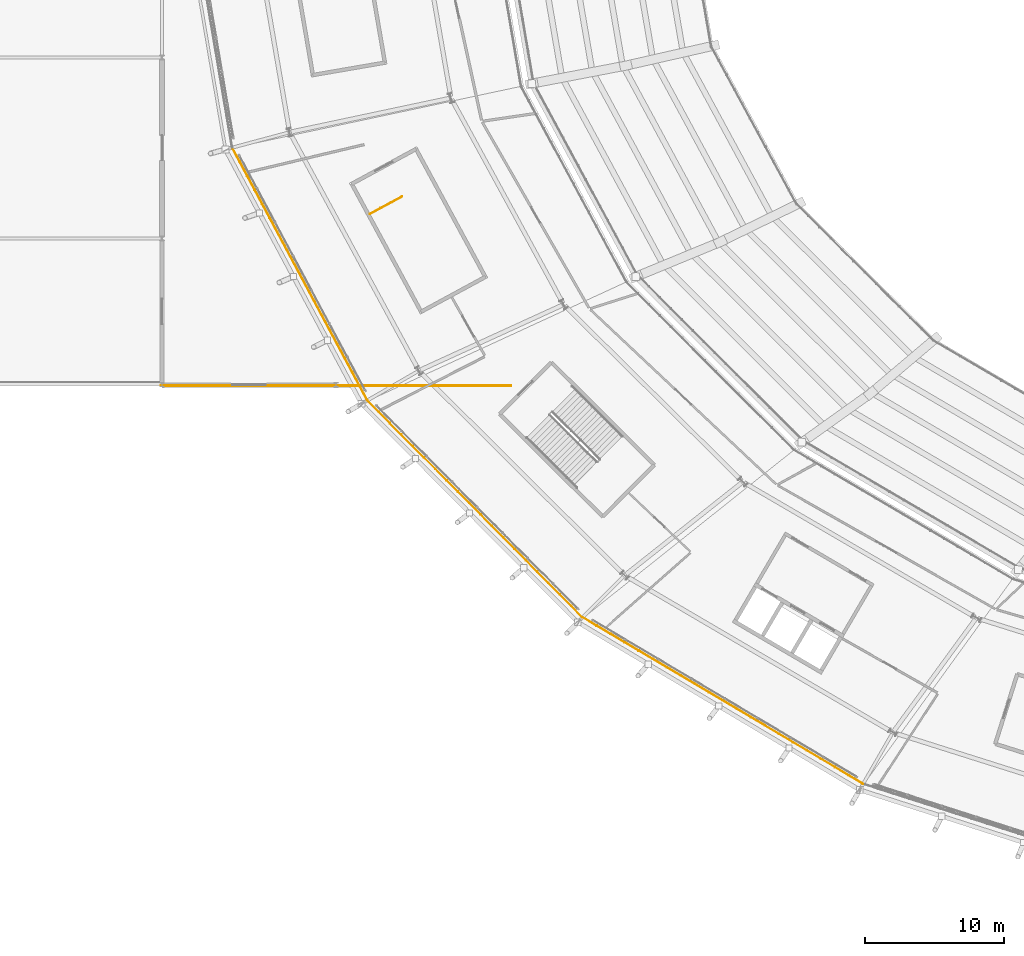
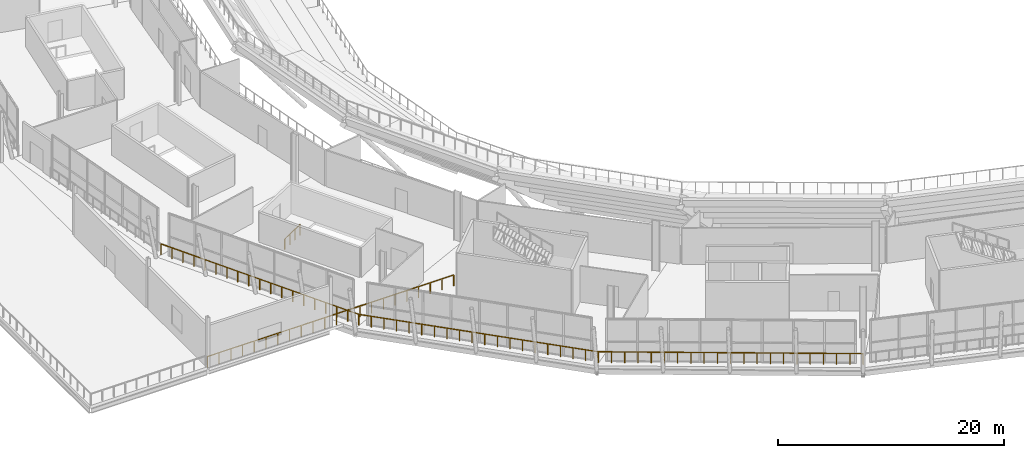
# One storey, part 106 of 126: 5 railings.
"""IFC4 building model written with IfcOpenShell, lengths in metres."""

from ifc_helpers import new_model, si_unit, direction, frame, origin, origin_2d, place, context, subcontext, project, spatial, rectangle, extrude, material, type_object, element, save


model = new_model("IFC4")

# Units and contexts
model_context = context("Model", 3, precision=1e-05, world=origin(), true_north=direction((0.0, 1.0)))
body_context = subcontext(model_context, "Body", "Model", "MODEL_VIEW")
ifc_project = project(units=[si_unit("LENGTHUNIT", "METRE"), si_unit("AREAUNIT", "SQUARE_METRE"), si_unit("VOLUMEUNIT", "CUBIC_METRE"), si_unit("PLANEANGLEUNIT", "RADIAN"), si_unit("MASSUNIT", "GRAM", prefix="KILO")], contexts=[model_context])

# Site, building, storey
site_placement = place(None, origin())
site = spatial("IfcSite", under=ifc_project, at=site_placement, CompositionType="ELEMENT")
building_placement = place(site_placement, origin())
building = spatial("IfcBuilding", under=site, at=building_placement, Name="Zlatoyarsky Gate Stadium", CompositionType="ELEMENT")
storey_placement = place(building_placement, frame((0.0, 0.0, 20.800048828125)))
storey = spatial("IfcBuildingStorey", under=building, at=storey_placement, Name="L04", CompositionType="ELEMENT", Elevation=20.800048828125)

# Railings
ifc_material_1 = material(Name="Powder-coated steel tubular guardrail", Category="steel")
railing_type_1 = type_object("IfcRailingType", Name="CONCOURSE SLAB EDGE GUARDRAIL 1200", PredefinedType="GUARDRAIL", material=ifc_material_1)
railing_1_placement = place(storey_placement, frame((17.044921875, 60.518798828125, 0.0)))
element("IfcRailing", 1, at=railing_1_placement, inside=storey, type_object=railing_type_1, Name="L04 outer slab edge guardrail 13", PredefinedType="GUARDRAIL", context=body_context, shape_type="SweptSolid", body=[
    extrude(rectangle(XDim=0.048095703125, YDim=0.048095703125, at=origin_2d()), frame((0.0, 0.0, 1.17578125), z_axis=(0.471925587959, -0.881638383596, 0.0), x_axis=(0.881638383596, 0.471925587959, 0.0)), (0.0, 0.0, 1.0), 20.5908203125),
    extrude(rectangle(XDim=0.0419921875, YDim=0.0419921875, at=origin_2d()), origin(), (0.0, 0.0, 1.0), 1.15185546875),
    extrude(rectangle(XDim=0.0419921875, YDim=0.0419921875, at=origin_2d()), frame((0.539794921875, -1.008544921875, 0.0)), (0.0, 0.0, 1.0), 1.15185546875),
    extrude(rectangle(XDim=0.0419921875, YDim=0.0419921875, at=origin_2d()), frame((1.07958984375, -2.01708984375, 0.0)), (0.0, 0.0, 1.0), 1.15185546875),
    extrude(rectangle(XDim=0.0419921875, YDim=0.0419921875, at=origin_2d()), frame((1.61962890625, -3.025634765625, 0.0)), (0.0, 0.0, 1.0), 1.15185546875),
    extrude(rectangle(XDim=0.0419921875, YDim=0.0419921875, at=origin_2d()), frame((2.159423828125, -4.0341796875, 0.0)), (0.0, 0.0, 1.0), 1.15185546875),
    extrude(rectangle(XDim=0.0419921875, YDim=0.0419921875, at=origin_2d()), frame((2.69921875, -5.042724609375, 0.0)), (0.0, 0.0, 1.0), 1.15185546875),
    extrude(rectangle(XDim=0.0419921875, YDim=0.0419921875, at=origin_2d()), frame((3.239013671875, -6.05126953125, 0.0)), (0.0, 0.0, 1.0), 1.15185546875),
    extrude(rectangle(XDim=0.0419921875, YDim=0.0419921875, at=origin_2d()), frame((3.779052734375, -7.059814453125, 0.0)), (0.0, 0.0, 1.0), 1.15185546875),
    extrude(rectangle(XDim=0.0419921875, YDim=0.0419921875, at=origin_2d()), frame((4.31884765625, -8.068359375, 0.0)), (0.0, 0.0, 1.0), 1.15185546875),
    extrude(rectangle(XDim=0.0419921875, YDim=0.0419921875, at=origin_2d()), frame((4.858642578125, -9.07666015625, 0.0)), (0.0, 0.0, 1.0), 1.15185546875),
    extrude(rectangle(XDim=0.0419921875, YDim=0.0419921875, at=origin_2d()), frame((5.3984375, -10.085205078125, 0.0)), (0.0, 0.0, 1.0), 1.15185546875),
    extrude(rectangle(XDim=0.0419921875, YDim=0.0419921875, at=origin_2d()), frame((5.938232421875, -11.09375, 0.0)), (0.0, 0.0, 1.0), 1.15185546875),
    extrude(rectangle(XDim=0.0419921875, YDim=0.0419921875, at=origin_2d()), frame((6.478271484375, -12.102294921875, 0.0)), (0.0, 0.0, 1.0), 1.15185546875),
    extrude(rectangle(XDim=0.0419921875, YDim=0.0419921875, at=origin_2d()), frame((7.01806640625, -13.11083984375, 0.0)), (0.0, 0.0, 1.0), 1.15185546875),
    extrude(rectangle(XDim=0.0419921875, YDim=0.0419921875, at=origin_2d()), frame((7.557861328125, -14.119384765625, 0.0)), (0.0, 0.0, 1.0), 1.15185546875),
    extrude(rectangle(XDim=0.0419921875, YDim=0.0419921875, at=origin_2d()), frame((8.09765625, -15.1279296875, 0.0)), (0.0, 0.0, 1.0), 1.15185546875),
    extrude(rectangle(XDim=0.0419921875, YDim=0.0419921875, at=origin_2d()), frame((8.6376953125, -16.136474609375, 0.0)), (0.0, 0.0, 1.0), 1.15185546875),
    extrude(rectangle(XDim=0.0419921875, YDim=0.0419921875, at=origin_2d()), frame((9.177490234375, -17.14501953125, 0.0)), (0.0, 0.0, 1.0), 1.15185546875),
    extrude(rectangle(XDim=0.0419921875, YDim=0.0419921875, at=origin_2d()), frame((9.71728515625, -18.153564453125, 0.0)), (0.0, 0.0, 1.0), 1.15185546875),
])
railing_2_placement = place(storey_placement, frame((26.76220703125, 42.365234375, 0.0)))
element("IfcRailing", 2, at=railing_2_placement, inside=storey, type_object=railing_type_1, Name="L04 outer slab edge guardrail 14", PredefinedType="GUARDRAIL", context=body_context, shape_type="SweptSolid", body=[
    extrude(rectangle(XDim=0.048095703125, YDim=0.048095703125, at=origin_2d()), frame((0.0, 0.0, 1.17578125), z_axis=(0.704114537309, -0.710086416114, 0.0), x_axis=(0.710086416114, 0.704114537309, 0.0)), (0.0, 0.0, 1.0), 21.953369140625),
    extrude(rectangle(XDim=0.0419921875, YDim=0.0419921875, at=origin_2d()), origin(), (0.0, 0.0, 1.0), 1.15185546875),
    extrude(rectangle(XDim=0.0419921875, YDim=0.0419921875, at=origin_2d()), frame((0.8134765625, -0.820556640625, 0.0)), (0.0, 0.0, 1.0), 1.15185546875),
    extrude(rectangle(XDim=0.0419921875, YDim=0.0419921875, at=origin_2d()), frame((1.627197265625, -1.640869140625, 0.0)), (0.0, 0.0, 1.0), 1.15185546875),
    extrude(rectangle(XDim=0.0419921875, YDim=0.0419921875, at=origin_2d()), frame((2.440673828125, -2.46142578125, 0.0)), (0.0, 0.0, 1.0), 1.15185546875),
    extrude(rectangle(XDim=0.0419921875, YDim=0.0419921875, at=origin_2d()), frame((3.254150390625, -3.281982421875, 0.0)), (0.0, 0.0, 1.0), 1.15185546875),
    extrude(rectangle(XDim=0.0419921875, YDim=0.0419921875, at=origin_2d()), frame((4.06787109375, -4.102294921875, 0.0)), (0.0, 0.0, 1.0), 1.15185546875),
    extrude(rectangle(XDim=0.0419921875, YDim=0.0419921875, at=origin_2d()), frame((4.88134765625, -4.9228515625, 0.0)), (0.0, 0.0, 1.0), 1.15185546875),
    extrude(rectangle(XDim=0.0419921875, YDim=0.0419921875, at=origin_2d()), frame((5.695068359375, -5.7431640625, 0.0)), (0.0, 0.0, 1.0), 1.15185546875),
    extrude(rectangle(XDim=0.0419921875, YDim=0.0419921875, at=origin_2d()), frame((6.508544921875, -6.563720703125, 0.0)), (0.0, 0.0, 1.0), 1.15185546875),
    extrude(rectangle(XDim=0.0419921875, YDim=0.0419921875, at=origin_2d()), frame((7.322021484375, -7.38427734375, 0.0)), (0.0, 0.0, 1.0), 1.15185546875),
    extrude(rectangle(XDim=0.0419921875, YDim=0.0419921875, at=origin_2d()), frame((8.1357421875, -8.20458984375, 0.0)), (0.0, 0.0, 1.0), 1.15185546875),
    extrude(rectangle(XDim=0.0419921875, YDim=0.0419921875, at=origin_2d()), frame((8.94921875, -9.025146484375, 0.0)), (0.0, 0.0, 1.0), 1.15185546875),
    extrude(rectangle(XDim=0.0419921875, YDim=0.0419921875, at=origin_2d()), frame((9.7626953125, -9.845703125, 0.0)), (0.0, 0.0, 1.0), 1.15185546875),
    extrude(rectangle(XDim=0.0419921875, YDim=0.0419921875, at=origin_2d()), frame((10.576416015625, -10.666015625, 0.0)), (0.0, 0.0, 1.0), 1.15185546875),
    extrude(rectangle(XDim=0.0419921875, YDim=0.0419921875, at=origin_2d()), frame((11.389892578125, -11.486572265625, 0.0)), (0.0, 0.0, 1.0), 1.15185546875),
    extrude(rectangle(XDim=0.0419921875, YDim=0.0419921875, at=origin_2d()), frame((12.20361328125, -12.306884765625, 0.0)), (0.0, 0.0, 1.0), 1.15185546875),
    extrude(rectangle(XDim=0.0419921875, YDim=0.0419921875, at=origin_2d()), frame((13.01708984375, -13.12744140625, 0.0)), (0.0, 0.0, 1.0), 1.15185546875),
    extrude(rectangle(XDim=0.0419921875, YDim=0.0419921875, at=origin_2d()), frame((13.83056640625, -13.947998046875, 0.0)), (0.0, 0.0, 1.0), 1.15185546875),
    extrude(rectangle(XDim=0.0419921875, YDim=0.0419921875, at=origin_2d()), frame((14.644287109375, -14.768310546875, 0.0)), (0.0, 0.0, 1.0), 1.15185546875),
    extrude(rectangle(XDim=0.0419921875, YDim=0.0419921875, at=origin_2d()), frame((15.457763671875, -15.5888671875, 0.0)), (0.0, 0.0, 1.0), 1.15185546875),
])
railing_3_placement = place(storey_placement, frame((42.219970703125, 26.7763671875, 0.0)))
element("IfcRailing", 3, at=railing_3_placement, inside=storey, type_object=railing_type_1, Name="L04 outer slab edge guardrail 15", PredefinedType="GUARDRAIL", context=body_context, shape_type="SweptSolid", body=[
    extrude(rectangle(XDim=0.048095703125, YDim=0.048095703125, at=origin_2d()), frame((0.0, 0.0, 1.17578125), z_axis=(0.859846881346, -0.510551996019, 0.0), x_axis=(0.510551996019, 0.859846881346, 0.0)), (0.0, 0.0, 1.0), 23.428955078125),
    extrude(rectangle(XDim=0.0419921875, YDim=0.0419921875, at=origin_2d()), origin(), (0.0, 0.0, 1.0), 1.15185546875),
    extrude(rectangle(XDim=0.0419921875, YDim=0.0419921875, at=origin_2d()), frame((1.00732421875, -0.59814453125, 0.0)), (0.0, 0.0, 1.0), 1.15185546875),
    extrude(rectangle(XDim=0.0419921875, YDim=0.0419921875, at=origin_2d()), frame((2.0146484375, -1.1962890625, 0.0)), (0.0, 0.0, 1.0), 1.15185546875),
    extrude(rectangle(XDim=0.0419921875, YDim=0.0419921875, at=origin_2d()), frame((3.021728515625, -1.794189453125, 0.0)), (0.0, 0.0, 1.0), 1.15185546875),
    extrude(rectangle(XDim=0.0419921875, YDim=0.0419921875, at=origin_2d()), frame((4.029052734375, -2.392333984375, 0.0)), (0.0, 0.0, 1.0), 1.15185546875),
    extrude(rectangle(XDim=0.0419921875, YDim=0.0419921875, at=origin_2d()), frame((5.036376953125, -2.990478515625, 0.0)), (0.0, 0.0, 1.0), 1.15185546875),
    extrude(rectangle(XDim=0.0419921875, YDim=0.0419921875, at=origin_2d()), frame((6.04345703125, -3.58837890625, 0.0)), (0.0, 0.0, 1.0), 1.15185546875),
    extrude(rectangle(XDim=0.0419921875, YDim=0.0419921875, at=origin_2d()), frame((7.05078125, -4.1865234375, 0.0)), (0.0, 0.0, 1.0), 1.15185546875),
    extrude(rectangle(XDim=0.0419921875, YDim=0.0419921875, at=origin_2d()), frame((8.05810546875, -4.78466796875, 0.0)), (0.0, 0.0, 1.0), 1.15185546875),
    extrude(rectangle(XDim=0.0419921875, YDim=0.0419921875, at=origin_2d()), frame((9.0654296875, -5.3828125, 0.0)), (0.0, 0.0, 1.0), 1.15185546875),
    extrude(rectangle(XDim=0.0419921875, YDim=0.0419921875, at=origin_2d()), frame((10.07275390625, -5.98095703125, 0.0)), (0.0, 0.0, 1.0), 1.15185546875),
    extrude(rectangle(XDim=0.0419921875, YDim=0.0419921875, at=origin_2d()), frame((11.079833984375, -6.578857421875, 0.0)), (0.0, 0.0, 1.0), 1.15185546875),
    extrude(rectangle(XDim=0.0419921875, YDim=0.0419921875, at=origin_2d()), frame((12.087158203125, -7.177001953125, 0.0)), (0.0, 0.0, 1.0), 1.15185546875),
    extrude(rectangle(XDim=0.0419921875, YDim=0.0419921875, at=origin_2d()), frame((13.094482421875, -7.775146484375, 0.0)), (0.0, 0.0, 1.0), 1.15185546875),
    extrude(rectangle(XDim=0.0419921875, YDim=0.0419921875, at=origin_2d()), frame((14.1015625, -8.373046875, 0.0)), (0.0, 0.0, 1.0), 1.15185546875),
    extrude(rectangle(XDim=0.0419921875, YDim=0.0419921875, at=origin_2d()), frame((15.10888671875, -8.97119140625, 0.0)), (0.0, 0.0, 1.0), 1.15185546875),
    extrude(rectangle(XDim=0.0419921875, YDim=0.0419921875, at=origin_2d()), frame((16.1162109375, -9.5693359375, 0.0)), (0.0, 0.0, 1.0), 1.15185546875),
    extrude(rectangle(XDim=0.0419921875, YDim=0.0419921875, at=origin_2d()), frame((17.12353515625, -10.16748046875, 0.0)), (0.0, 0.0, 1.0), 1.15185546875),
    extrude(rectangle(XDim=0.0419921875, YDim=0.0419921875, at=origin_2d()), frame((18.130859375, -10.765625, 0.0)), (0.0, 0.0, 1.0), 1.15185546875),
    extrude(rectangle(XDim=0.0419921875, YDim=0.0419921875, at=origin_2d()), frame((19.137939453125, -11.363525390625, 0.0)), (0.0, 0.0, 1.0), 1.15185546875),
    extrude(rectangle(XDim=0.0419921875, YDim=0.0419921875, at=origin_2d()), frame((20.145263671875, -11.961669921875, 0.0)), (0.0, 0.0, 1.0), 1.15185546875),
])
railing_4_placement = place(storey_placement, frame((37.080078125, 43.419921875, 0.0)))
element("IfcRailing", 4, at=railing_4_placement, inside=storey, type_object=railing_type_1, Name="V4_WEST L04 S slab edge guardrail", PredefinedType="GUARDRAIL", context=body_context, shape_type="SweptSolid", body=[
    extrude(rectangle(XDim=0.048095703125, YDim=0.048095703125, at=origin_2d()), frame((0.0, 0.0, 1.17578125), z_axis=(-1.0, 0.0, 0.0), x_axis=(0.0, -1.0, 0.0)), (0.0, 0.0, 1.0), 25.16015625),
    extrude(rectangle(XDim=0.0419921875, YDim=0.0419921875, at=origin_2d()), origin(), (0.0, 0.0, 1.0), 1.15185546875),
    extrude(rectangle(XDim=0.0419921875, YDim=0.0419921875, at=origin_2d()), frame((-1.197998046875, 0.0, 0.0)), (0.0, 0.0, 1.0), 1.15185546875),
    extrude(rectangle(XDim=0.0419921875, YDim=0.0419921875, at=origin_2d()), frame((-2.396240234375, 0.0, 0.0)), (0.0, 0.0, 1.0), 1.15185546875),
    extrude(rectangle(XDim=0.0419921875, YDim=0.0419921875, at=origin_2d()), frame((-3.59423828125, 0.0, 0.0)), (0.0, 0.0, 1.0), 1.15185546875),
    extrude(rectangle(XDim=0.0419921875, YDim=0.0419921875, at=origin_2d()), frame((-4.79248046875, 0.0, 0.0)), (0.0, 0.0, 1.0), 1.15185546875),
    extrude(rectangle(XDim=0.0419921875, YDim=0.0419921875, at=origin_2d()), frame((-5.990478515625, 0.0, 0.0)), (0.0, 0.0, 1.0), 1.15185546875),
    extrude(rectangle(XDim=0.0419921875, YDim=0.0419921875, at=origin_2d()), frame((-7.188720703125, 0.0, 0.0)), (0.0, 0.0, 1.0), 1.15185546875),
    extrude(rectangle(XDim=0.0419921875, YDim=0.0419921875, at=origin_2d()), frame((-8.38671875, 0.0, 0.0)), (0.0, 0.0, 1.0), 1.15185546875),
    extrude(rectangle(XDim=0.0419921875, YDim=0.0419921875, at=origin_2d()), frame((-9.584716796875, 0.0, 0.0)), (0.0, 0.0, 1.0), 1.15185546875),
    extrude(rectangle(XDim=0.0419921875, YDim=0.0419921875, at=origin_2d()), frame((-10.782958984375, 0.0, 0.0)), (0.0, 0.0, 1.0), 1.15185546875),
    extrude(rectangle(XDim=0.0419921875, YDim=0.0419921875, at=origin_2d()), frame((-11.98095703125, 0.0, 0.0)), (0.0, 0.0, 1.0), 1.15185546875),
    extrude(rectangle(XDim=0.0419921875, YDim=0.0419921875, at=origin_2d()), frame((-13.17919921875, 0.0, 0.0)), (0.0, 0.0, 1.0), 1.15185546875),
    extrude(rectangle(XDim=0.0419921875, YDim=0.0419921875, at=origin_2d()), frame((-14.377197265625, 0.0, 0.0)), (0.0, 0.0, 1.0), 1.15185546875),
    extrude(rectangle(XDim=0.0419921875, YDim=0.0419921875, at=origin_2d()), frame((-15.575439453125, 0.0, 0.0)), (0.0, 0.0, 1.0), 1.15185546875),
    extrude(rectangle(XDim=0.0419921875, YDim=0.0419921875, at=origin_2d()), frame((-16.7734375, 0.0, 0.0)), (0.0, 0.0, 1.0), 1.15185546875),
    extrude(rectangle(XDim=0.0419921875, YDim=0.0419921875, at=origin_2d()), frame((-17.971435546875, 0.0, 0.0)), (0.0, 0.0, 1.0), 1.15185546875),
    extrude(rectangle(XDim=0.0419921875, YDim=0.0419921875, at=origin_2d()), frame((-19.169677734375, 0.0, 0.0)), (0.0, 0.0, 1.0), 1.15185546875),
    extrude(rectangle(XDim=0.0419921875, YDim=0.0419921875, at=origin_2d()), frame((-20.36767578125, 0.0, 0.0)), (0.0, 0.0, 1.0), 1.15185546875),
    extrude(rectangle(XDim=0.0419921875, YDim=0.0419921875, at=origin_2d()), frame((-21.56591796875, 0.0, 0.0)), (0.0, 0.0, 1.0), 1.15185546875),
    extrude(rectangle(XDim=0.0419921875, YDim=0.0419921875, at=origin_2d()), frame((-22.763916015625, 0.0, 0.0)), (0.0, 0.0, 1.0), 1.15185546875),
    extrude(rectangle(XDim=0.0419921875, YDim=0.0419921875, at=origin_2d()), frame((-23.962158203125, 0.0, 0.0)), (0.0, 0.0, 1.0), 1.15185546875),
    extrude(rectangle(XDim=0.0419921875, YDim=0.0419921875, at=origin_2d()), frame((-25.16015625, 0.0, 0.0)), (0.0, 0.0, 1.0), 1.15185546875),
])
ifc_material_2 = material(Name="Powder-coated steel stair guardrail", Category="steel")
railing_type_2 = type_object("IfcRailingType", Name="PAINTED STEEL STAIR WELL GUARDRAIL 1150", PredefinedType="GUARDRAIL", material=ifc_material_2)
railing_5_placement = place(storey_placement, frame((26.94580078125, 55.756591796875, 0.0)))
element("IfcRailing", 5, at=railing_5_placement, inside=storey, type_object=railing_type_2, Name="ST-15 L04 top well guard 1", PredefinedType="GUARDRAIL", context=body_context, shape_type="SweptSolid", body=[
    extrude(rectangle(XDim=0.048095703125, YDim=0.048095703125, at=origin_2d()), frame((0.0, 0.0, 1.1259765625), z_axis=(0.878937789073, 0.476936434904, 0.0), x_axis=(-0.476936434904, 0.878937789073, 0.0)), (0.0, 0.0, 1.0), 2.599853515625),
    extrude(rectangle(XDim=0.0419921875, YDim=0.0419921875, at=origin_2d()), origin(), (0.0, 0.0, 1.0), 1.101806640625),
    extrude(rectangle(XDim=0.0419921875, YDim=0.0419921875, at=origin_2d()), frame((0.76171875, 0.413330078125, 0.0)), (0.0, 0.0, 1.0), 1.101806640625),
    extrude(rectangle(XDim=0.0419921875, YDim=0.0419921875, at=origin_2d()), frame((1.5234375, 0.82666015625, 0.0)), (0.0, 0.0, 1.0), 1.101806640625),
    extrude(rectangle(XDim=0.0419921875, YDim=0.0419921875, at=origin_2d()), frame((2.28515625, 1.239990234375, 0.0)), (0.0, 0.0, 1.0), 1.101806640625),
])

save(model, "model.ifc")
